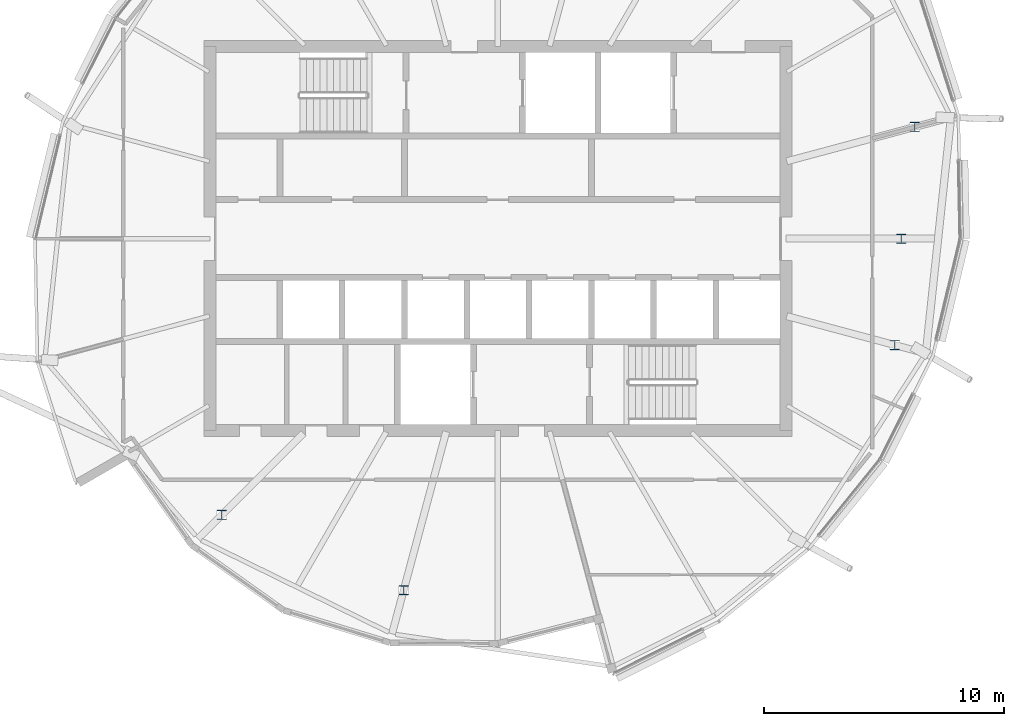
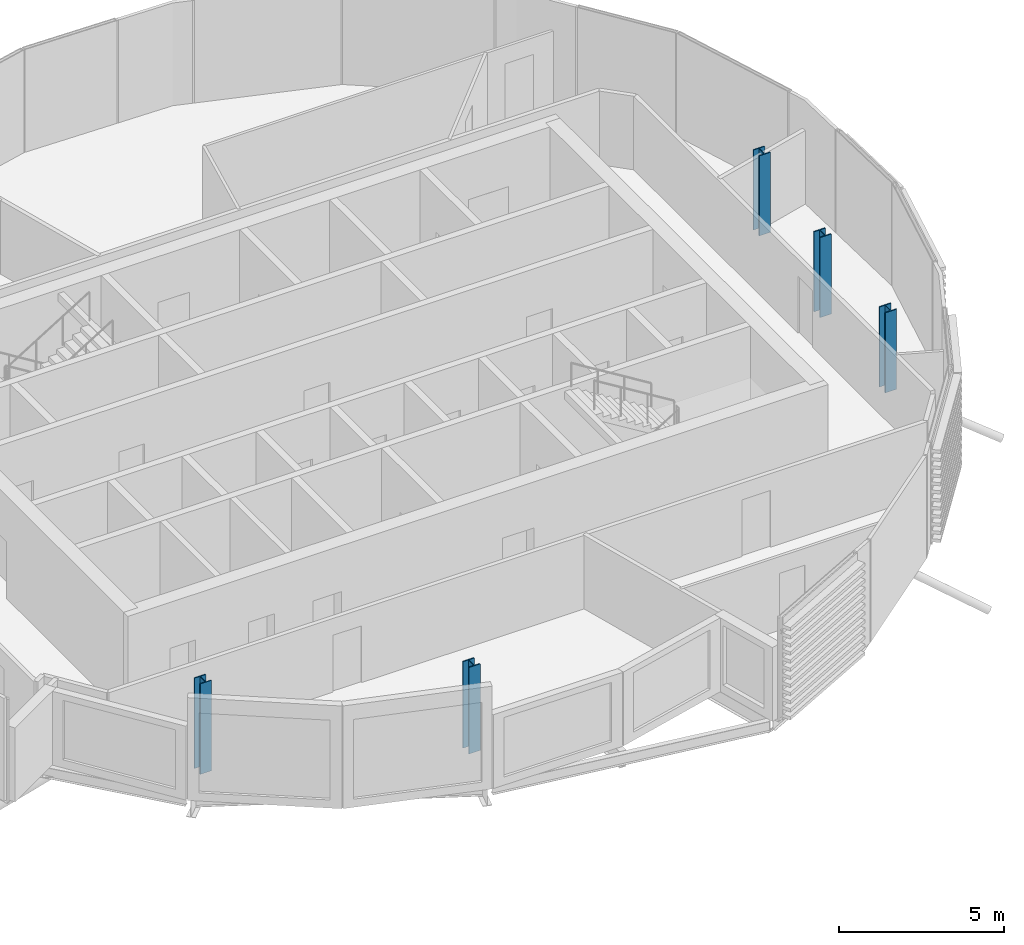
# One storey, part 2 of 33: 5 columns.
"""IFC4 building model written with IfcOpenShell, lengths in metres."""

from ifc_helpers import new_model, si_unit, direction, frame, origin, origin_2d, place, context, subcontext, project, spatial, i_section, extrude, material, material_profile, profile_set, type_object, element, save


model = new_model("IFC4")

# Units and contexts
model_context = context("Model", 3, precision=1e-05, world=origin(), true_north=direction((0.0, 1.0)))
body_context = subcontext(model_context, "Body", "Model", "MODEL_VIEW")
ifc_project = project(units=[si_unit("LENGTHUNIT", "METRE"), si_unit("AREAUNIT", "SQUARE_METRE"), si_unit("VOLUMEUNIT", "CUBIC_METRE"), si_unit("PLANEANGLEUNIT", "RADIAN"), si_unit("MASSUNIT", "GRAM", prefix="KILO")], contexts=[model_context])

# Site, building, storey
site_placement = place(None, origin())
site = spatial("IfcSite", under=ifc_project, at=site_placement, CompositionType="ELEMENT")
building_placement = place(site_placement, origin())
building = spatial("IfcBuilding", under=site, at=building_placement, Name="Rimbun Link Towers", CompositionType="ELEMENT")
storey_placement = place(building_placement, frame((0.0, 0.0, 237.10009765625)))
storey = spatial("IfcBuildingStorey", under=building, at=storey_placement, Name="L58", CompositionType="ELEMENT", Elevation=237.10009765625)

# Columns
ifc_material = material(Name="Steel S355J2", Category="steel")
ifc_material_profile = material_profile(ifc_material, i_section(OverallWidth=0.39892578125, OverallDepth=0.3935546875, WebThickness=0.022705078125, FlangeThickness=0.03662109375, at=origin_2d()), Name="UC 356x406x287")
ifc_profile_set = profile_set([ifc_material_profile], Name="Steel S355J2")
column_type = type_object("IfcColumnType", Name="UC 356x406x287", PredefinedType="COLUMN", material=ifc_profile_set)
column_1_placement = place(storey_placement, frame((20.239013671875, -11.510986328125, -0.14013671875), z_axis=(0.0, 0.0, 1.0), x_axis=(1.0, 0.0, 0.0)))
element("IfcColumn", 1, at=column_1_placement, inside=storey, type_object=column_type, Name="Crease post T2 L58 12", PredefinedType="COLUMN", context=body_context, shape_type="SweptSolid", body=[
    extrude(i_section(OverallWidth=0.39892578125, OverallDepth=0.3935546875, WebThickness=0.022705078125, FlangeThickness=0.03662109375, at=origin_2d()), origin(), (0.0, 0.0, 1.0), 3.3466796875),
])
column_2_placement = place(storey_placement, frame((27.826416015625, -14.643310546875, -0.14013671875), z_axis=(0.0, 0.0, 1.0), x_axis=(1.0, 0.0, 0.0)))
element("IfcColumn", 2, at=column_2_placement, inside=storey, type_object=column_type, Name="Crease post T2 L58 14", PredefinedType="COLUMN", context=body_context, shape_type="SweptSolid", body=[
    extrude(i_section(OverallWidth=0.39892578125, OverallDepth=0.3935546875, WebThickness=0.022705078125, FlangeThickness=0.03662109375, at=origin_2d()), origin(), (0.0, 0.0, 1.0), 3.197509765625),
])
for number, where, z_axis, x_axis, name in (
    (3, (48.2890625, -4.431640625, -0.14013671875), (0.0, 0.0, 1.0), (1.0, 0.0, 0.0), "Crease post T2 L58 20"),
    (4, (48.560302734375, 0.0, -0.14013671875), (0.0, 0.0, 1.0), (1.0, 0.0, 0.0), "Crease post T2 L58 21"),
    (5, (49.127685546875, 4.656494140625, -0.14013671875), (0.0, 0.0, 1.0), (1.0, 0.0, 0.0), "Crease post T2 L58 22"),
):
    element("IfcColumn", number, at=place(storey_placement, frame(where, z_axis=z_axis, x_axis=x_axis)), inside=storey, type_object=column_type, Name=name, PredefinedType="COLUMN", context=body_context, shape_type="SweptSolid", body=[
        extrude(i_section(OverallWidth=0.39892578125, OverallDepth=0.3935546875, WebThickness=0.022705078125, FlangeThickness=0.03662109375, at=origin_2d()), origin(), (0.0, 0.0, 1.0), 2.959228515625),
    ])

save(model, "model.ifc")
